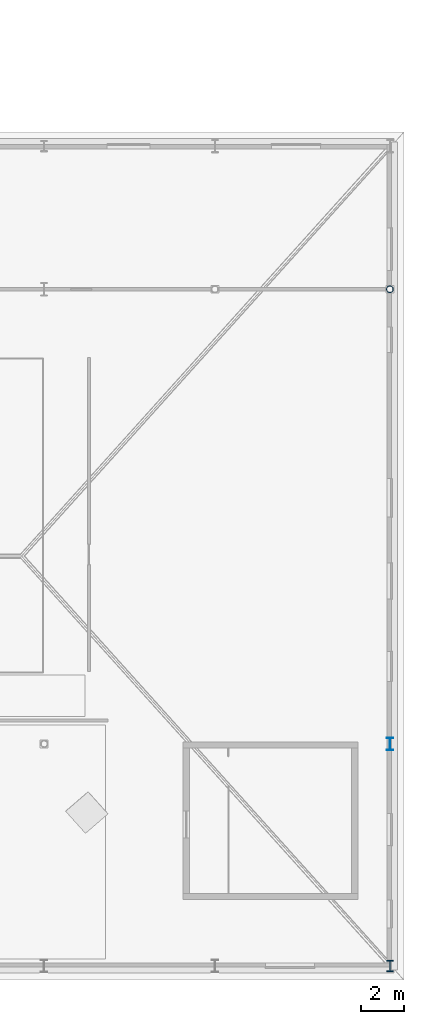
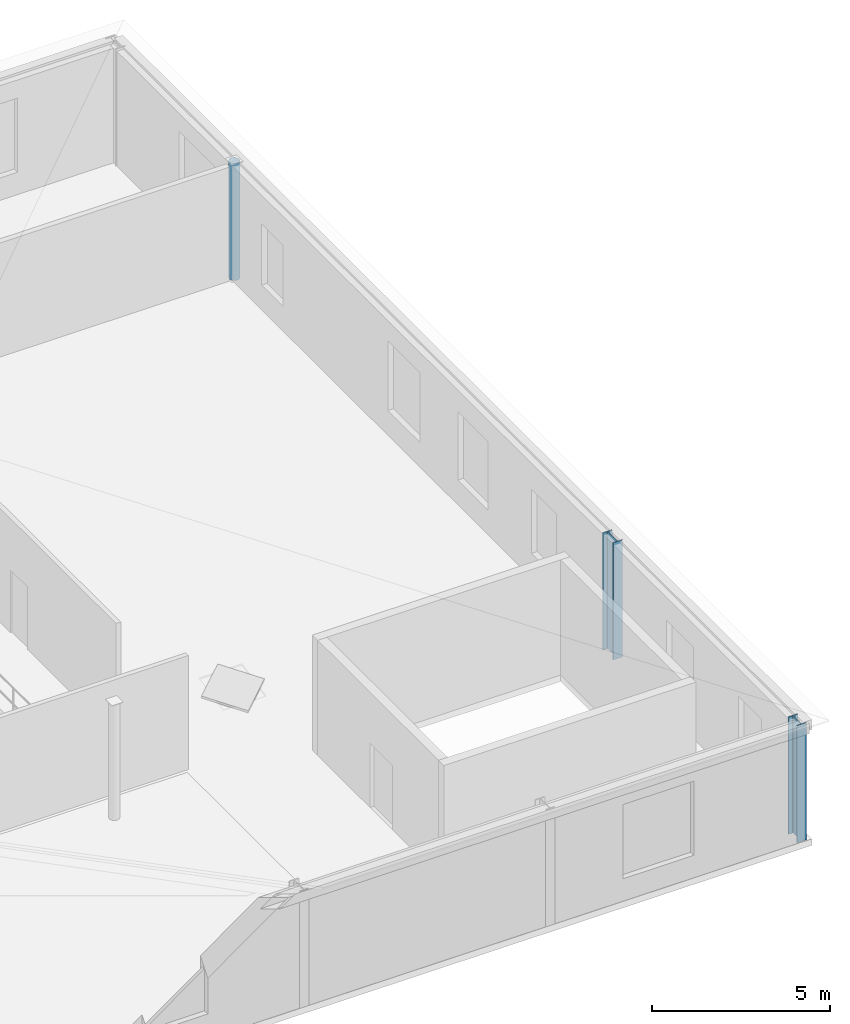
# One storey, part 15 of 148: 3 columns.
"""IFC4 building model written with IfcOpenShell, lengths in metres."""

from ifc_helpers import new_model, si_unit, direction, frame, origin, origin_2d, place, context, subcontext, project, spatial, hollow_circle, i_section, extrude, material, material_profile, profile_set, type_object, element, save


model = new_model("IFC4")

# Units and contexts
model_context = context("Model", 3, precision=1e-05, world=origin(), true_north=direction((0.0, 1.0)))
body_context = subcontext(model_context, "Body", "Model", "MODEL_VIEW")
ifc_project = project(units=[si_unit("LENGTHUNIT", "METRE"), si_unit("AREAUNIT", "SQUARE_METRE"), si_unit("VOLUMEUNIT", "CUBIC_METRE"), si_unit("PLANEANGLEUNIT", "RADIAN"), si_unit("MASSUNIT", "GRAM", prefix="KILO"), si_unit("THERMODYNAMICTEMPERATUREUNIT", "KELVIN"), si_unit("POWERUNIT", "WATT")], contexts=[model_context])

# Site, building, storey
site_placement = place(None, origin())
site = spatial("IfcSite", under=ifc_project, at=site_placement, CompositionType="ELEMENT")
building_placement = place(site_placement, origin())
building = spatial("IfcBuilding", under=site, at=building_placement, Name="Solvatero Civic Police Headquarters", CompositionType="ELEMENT")
storey_placement = place(building_placement, frame((0.0, 0.0, 5.10009765625)))
storey = spatial("IfcBuildingStorey", under=building, at=storey_placement, Name="L01", CompositionType="ELEMENT", Elevation=5.10009765625)

# Columns
ifc_material = material(Name="Steel S355", Category="steel")
ifc_material_profile_1 = material_profile(ifc_material, hollow_circle(Radius=0.161865234375, WallThickness=0.01611328125, at=origin_2d()), Name="CHS 323.9x16.0")
ifc_profile_set_1 = profile_set([ifc_material_profile_1], Name="Steel S355")
column_type_1 = type_object("IfcColumnType", Name="COL-ST-CHS324", PredefinedType="COLUMN", material=ifc_profile_set_1)
column_1_placement = place(storey_placement, frame((168.199951171875, 36.5, 0.0), z_axis=(0.0, 0.0, 1.0), x_axis=(1.0, 0.0, 0.0)))
element("IfcColumn", 1, at=column_1_placement, inside=storey, type_object=column_type_1, Name="Column V3-X6Y3 L01", PredefinedType="COLUMN", context=body_context, shape_type="SweptSolid", body=[
    extrude(hollow_circle(Radius=0.161865234375, WallThickness=0.01611328125, at=origin_2d()), origin(), (0.0, 0.0, 1.0), 4.02001953125),
])
ifc_material_profile_2 = material_profile(ifc_material, i_section(OverallWidth=0.300048828125, OverallDepth=0.60009765625, WebThickness=0.015380859375, FlangeThickness=0.030029296875, FilletRadius=0.027099609375, at=origin_2d()), Name="HEB 600")
ifc_profile_set_2 = profile_set([ifc_material_profile_2], Name="Steel S355")
column_type_2 = type_object("IfcColumnType", Name="COL-ST-HEB600", PredefinedType="COLUMN", material=ifc_profile_set_2)
column_2_placement = place(storey_placement, frame((168.199951171875, 15.199951171875, 0.0), z_axis=(0.0, 0.0, 1.0), x_axis=(1.0, 0.0, 0.0)))
element("IfcColumn", 2, at=column_2_placement, inside=storey, type_object=column_type_2, Name="Column V3-X6Y2 L01", PredefinedType="COLUMN", context=body_context, shape_type="SweptSolid", body=[
    extrude(i_section(OverallWidth=0.300048828125, OverallDepth=0.60009765625, WebThickness=0.015380859375, FlangeThickness=0.030029296875, FilletRadius=0.027099609375, at=origin_2d()), origin(), (0.0, 0.0, 1.0), 4.02001953125),
])
ifc_material_profile_3 = material_profile(ifc_material, i_section(OverallWidth=0.305908203125, OverallDepth=0.52392578125, WebThickness=0.02099609375, FlangeThickness=0.0400390625, FilletRadius=0.027099609375, at=origin_2d()), Name="HEM 500")
ifc_profile_set_3 = profile_set([ifc_material_profile_3], Name="Steel S355")
column_type_3 = type_object("IfcColumnType", Name="COL-ST-HEM500", PredefinedType="COLUMN", material=ifc_profile_set_3)
column_3_placement = place(storey_placement, frame((168.199951171875, 4.800048828125, 0.0), z_axis=(0.0, 0.0, 1.0), x_axis=(1.0, 0.0, 0.0)))
element("IfcColumn", 3, at=column_3_placement, inside=storey, type_object=column_type_3, Name="Column V3-X6Y1 L01", PredefinedType="COLUMN", context=body_context, shape_type="SweptSolid", body=[
    extrude(i_section(OverallWidth=0.305908203125, OverallDepth=0.52392578125, WebThickness=0.02099609375, FlangeThickness=0.0400390625, FilletRadius=0.027099609375, at=origin_2d()), origin(), (0.0, 0.0, 1.0), 4.02001953125),
])

save(model, "model.ifc")
